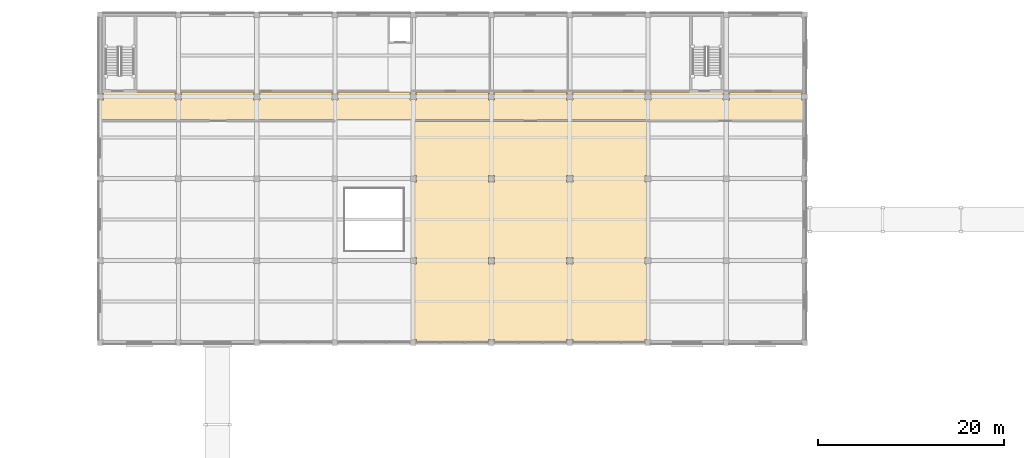
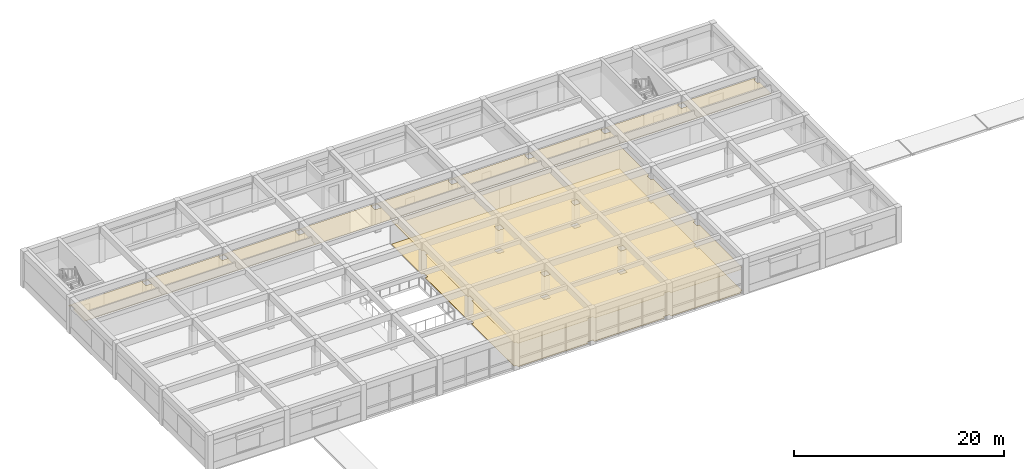
# One storey, part 40 of 46: 3 coverings.
"""IFC4 building model written with IfcOpenShell, lengths in metres."""

from ifc_helpers import new_model, si_unit, direction, frame, origin, place, context, subcontext, project, spatial, polyline, outline, extrude, material, layer, layer_set, type_object, element, save


model = new_model("IFC4")

# Units and contexts
model_context = context("Model", 3, precision=1e-05, world=origin(), true_north=direction((0.0, 1.0)))
body_context = subcontext(model_context, "Body", "Model", "MODEL_VIEW")
ifc_project = project(units=[si_unit("LENGTHUNIT", "METRE"), si_unit("AREAUNIT", "SQUARE_METRE"), si_unit("VOLUMEUNIT", "CUBIC_METRE"), si_unit("PLANEANGLEUNIT", "RADIAN"), si_unit("MASSUNIT", "GRAM", prefix="KILO")], contexts=[model_context])

# Site, building, storey
site_placement = place(None, origin())
site = spatial("IfcSite", under=ifc_project, at=site_placement, CompositionType="ELEMENT")
building_placement = place(site_placement, origin())
building = spatial("IfcBuilding", under=site, at=building_placement, Name="Kemercrest Conservatory and Botanical Centre", CompositionType="ELEMENT")
storey_placement = place(building_placement, frame((0.0, 0.0, 9.0)))
storey = spatial("IfcBuildingStorey", under=building, at=storey_placement, Name="L02", CompositionType="ELEMENT", Elevation=9.0)

# Coverings
ifc_material_1 = material(Name="Perforated acoustic gypsum and mineral-fibre suspended ceiling", Category="gypsum")
ifc_layer_1 = layer(ifc_material_1, 0.034912109375)
ifc_layer_set_1 = layer_set([ifc_layer_1], Name="Perforated acoustic gypsum and mineral-fibre suspended ceiling")
covering_type_1 = type_object("IfcCoveringType", Name="CV-CLG035", PredefinedType="CEILING", material=ifc_layer_set_1)
covering_1_placement = place(storey_placement, frame((0.0, 0.0, 2.699951171875)))
element("IfcCovering", 1, at=covering_1_placement, inside=storey, type_object=covering_type_1, Name="Gallery Spine Corridor suspended acoustic ceiling", PredefinedType="CEILING", context=body_context, shape_type="SweptSolid", body=[
    extrude(outline(polyline([(16.739990234375, 113.260009765625), (16.47998046875, 113.260009765625), (16.47998046875, 111.080078125), (91.919921875, 111.080078125), (91.919921875, 113.260009765625), (91.659912109375, 113.260009765625), (91.659912109375, 113.93994140625), (91.919921875, 113.93994140625), (91.919921875, 114.1201171875), (16.47998046875, 114.1201171875), (16.47998046875, 113.93994140625), (16.739990234375, 113.93994140625), (16.739990234375, 113.260009765625)]), holes=[polyline([(83.93994140625, 113.260009765625), (83.260009765625, 113.260009765625), (83.260009765625, 113.93994140625), (83.93994140625, 113.93994140625), (83.93994140625, 113.260009765625)]), polyline([(75.5400390625, 113.260009765625), (74.860107421875, 113.260009765625), (74.860107421875, 113.93994140625), (75.5400390625, 113.93994140625), (75.5400390625, 113.260009765625)]), polyline([(67.139892578125, 113.260009765625), (66.4599609375, 113.260009765625), (66.4599609375, 113.93994140625), (67.139892578125, 113.93994140625), (67.139892578125, 113.260009765625)]), polyline([(58.739990234375, 113.260009765625), (58.06005859375, 113.260009765625), (58.06005859375, 113.93994140625), (58.739990234375, 113.93994140625), (58.739990234375, 113.260009765625)]), polyline([(50.340087890625, 113.260009765625), (49.659912109375, 113.260009765625), (49.659912109375, 113.93994140625), (50.340087890625, 113.93994140625), (50.340087890625, 113.260009765625)]), polyline([(41.93994140625, 113.260009765625), (41.260009765625, 113.260009765625), (41.260009765625, 113.93994140625), (41.93994140625, 113.93994140625), (41.93994140625, 113.260009765625)]), polyline([(33.5400390625, 113.260009765625), (32.860107421875, 113.260009765625), (32.860107421875, 113.93994140625), (33.5400390625, 113.93994140625), (33.5400390625, 113.260009765625)]), polyline([(25.139892578125, 113.260009765625), (24.4599609375, 113.260009765625), (24.4599609375, 113.93994140625), (25.139892578125, 113.93994140625), (25.139892578125, 113.260009765625)])]), origin(), (0.0, 0.0, 1.0), 0.03515625),
])
covering_2_placement = place(storey_placement, frame((0.0, 0.0, 2.699951171875)))
element("IfcCovering", 2, at=covering_2_placement, inside=storey, type_object=covering_type_1, Name="Ethnobotanical Classroom suspended acoustic ceiling", PredefinedType="CEILING", context=body_context, shape_type="SweptSolid", body=[
    extrude(outline(polyline([(66.4599609375, 87.5400390625), (67.139892578125, 87.5400390625), (67.139892578125, 87.280029296875), (74.860107421875, 87.280029296875), (74.860107421875, 87.5400390625), (75.1201171875, 87.5400390625), (75.1201171875, 95.659912109375), (74.860107421875, 95.659912109375), (74.860107421875, 96.340087890625), (75.1201171875, 96.340087890625), (75.1201171875, 104.4599609375), (74.860107421875, 104.4599609375), (74.860107421875, 105.139892578125), (75.1201171875, 105.139892578125), (75.1201171875, 110.919921875), (50.080078125, 110.919921875), (50.080078125, 105.139892578125), (50.340087890625, 105.139892578125), (50.340087890625, 104.4599609375), (50.080078125, 104.4599609375), (50.080078125, 96.340087890625), (50.340087890625, 96.340087890625), (50.340087890625, 95.659912109375), (50.080078125, 95.659912109375), (50.080078125, 87.5400390625), (50.340087890625, 87.5400390625), (50.340087890625, 87.280029296875), (58.06005859375, 87.280029296875), (58.06005859375, 87.5400390625), (58.739990234375, 87.5400390625), (58.739990234375, 87.280029296875), (66.4599609375, 87.280029296875), (66.4599609375, 87.5400390625)]), holes=[polyline([(67.139892578125, 95.659912109375), (66.4599609375, 95.659912109375), (66.4599609375, 96.340087890625), (67.139892578125, 96.340087890625), (67.139892578125, 95.659912109375)]), polyline([(67.139892578125, 104.4599609375), (66.4599609375, 104.4599609375), (66.4599609375, 105.139892578125), (67.139892578125, 105.139892578125), (67.139892578125, 104.4599609375)]), polyline([(58.739990234375, 95.659912109375), (58.06005859375, 95.659912109375), (58.06005859375, 96.340087890625), (58.739990234375, 96.340087890625), (58.739990234375, 95.659912109375)]), polyline([(58.739990234375, 104.4599609375), (58.06005859375, 104.4599609375), (58.06005859375, 105.139892578125), (58.739990234375, 105.139892578125), (58.739990234375, 104.4599609375)])]), origin(), (0.0, 0.0, 1.0), 0.03515625),
])
ifc_material_2 = material(Name="Polished limestone terrazzo and seamless laboratory epoxy flooring", Category="masonry")
ifc_layer_2 = layer(ifc_material_2, 0.02001953125)
ifc_layer_set_2 = layer_set([ifc_layer_2], Name="Polished limestone terrazzo and seamless laboratory epoxy flooring")
covering_type_2 = type_object("IfcCoveringType", Name="CV-FLR020", PredefinedType="FLOORING", material=ifc_layer_set_2)
covering_3_placement = place(storey_placement, origin())
element("IfcCovering", 3, at=covering_3_placement, inside=storey, type_object=covering_type_2, Name="Ethnobotanical Classroom floor finish", PredefinedType="FLOORING", context=body_context, shape_type="SweptSolid", body=[
    extrude(outline(polyline([(66.4599609375, 87.5400390625), (67.139892578125, 87.5400390625), (67.139892578125, 87.280029296875), (74.860107421875, 87.280029296875), (74.860107421875, 87.5400390625), (75.1201171875, 87.5400390625), (75.1201171875, 95.659912109375), (74.860107421875, 95.659912109375), (74.860107421875, 96.340087890625), (75.1201171875, 96.340087890625), (75.1201171875, 104.4599609375), (74.860107421875, 104.4599609375), (74.860107421875, 105.139892578125), (75.1201171875, 105.139892578125), (75.1201171875, 110.919921875), (50.080078125, 110.919921875), (50.080078125, 105.139892578125), (50.340087890625, 105.139892578125), (50.340087890625, 104.4599609375), (50.080078125, 104.4599609375), (50.080078125, 96.340087890625), (50.340087890625, 96.340087890625), (50.340087890625, 95.659912109375), (50.080078125, 95.659912109375), (50.080078125, 87.5400390625), (50.340087890625, 87.5400390625), (50.340087890625, 87.280029296875), (58.06005859375, 87.280029296875), (58.06005859375, 87.5400390625), (58.739990234375, 87.5400390625), (58.739990234375, 87.280029296875), (66.4599609375, 87.280029296875), (66.4599609375, 87.5400390625)]), holes=[polyline([(67.139892578125, 95.659912109375), (66.4599609375, 95.659912109375), (66.4599609375, 96.340087890625), (67.139892578125, 96.340087890625), (67.139892578125, 95.659912109375)]), polyline([(67.139892578125, 104.4599609375), (66.4599609375, 104.4599609375), (66.4599609375, 105.139892578125), (67.139892578125, 105.139892578125), (67.139892578125, 104.4599609375)]), polyline([(58.739990234375, 95.659912109375), (58.06005859375, 95.659912109375), (58.06005859375, 96.340087890625), (58.739990234375, 96.340087890625), (58.739990234375, 95.659912109375)]), polyline([(58.739990234375, 104.4599609375), (58.06005859375, 104.4599609375), (58.06005859375, 105.139892578125), (58.739990234375, 105.139892578125), (58.739990234375, 104.4599609375)])]), origin(), (0.0, 0.0, 1.0), 0.02001953125),
])

save(model, "model.ifc")
